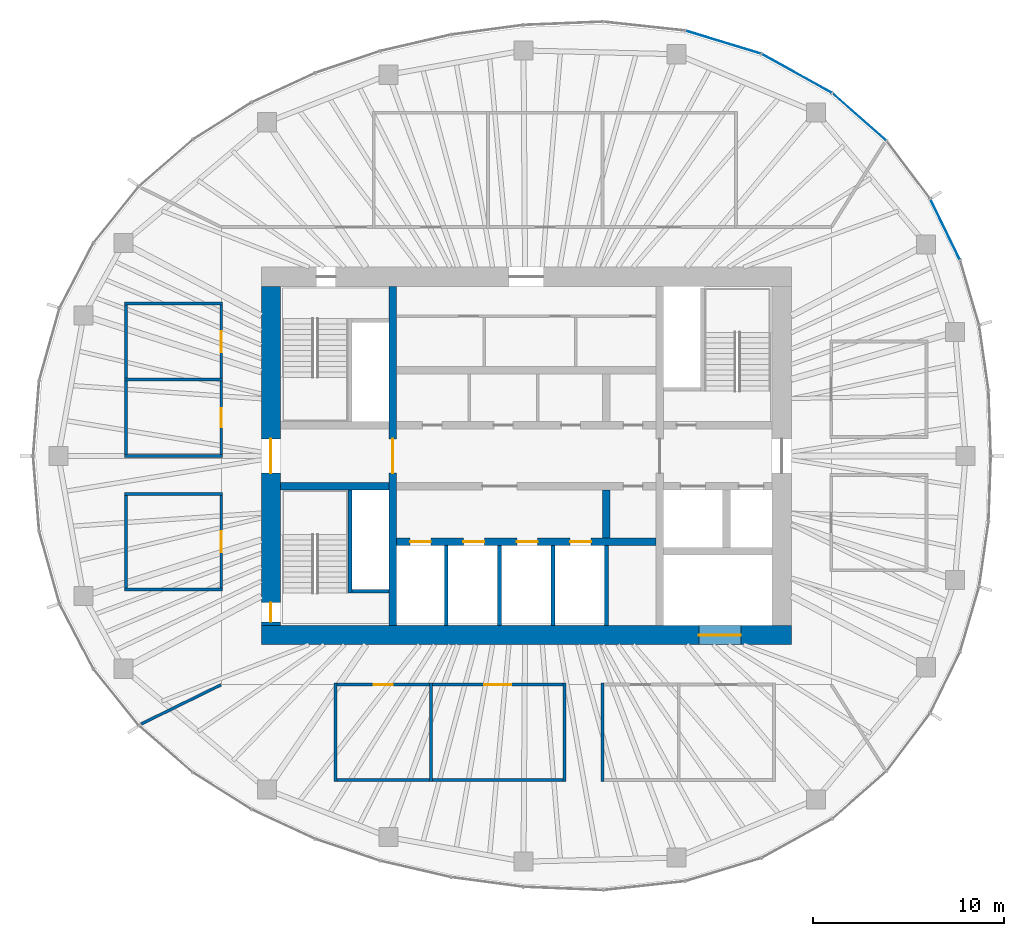
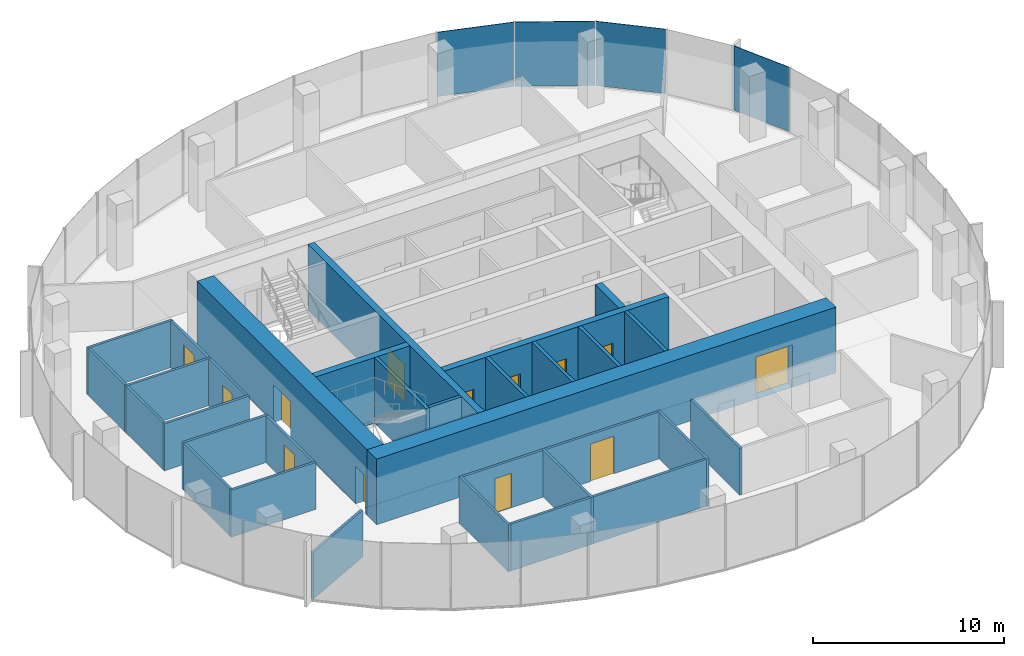
# One storey, part 8 of 11: 32 walls, 13 doors, 4 plates, 13 openings, 3 elements without a shape of their own.
"""IFC4 building model written with IfcOpenShell, lengths in metres."""

from ifc_helpers import new_model, si_unit, direction, frame, frame_2d, origin, origin_2d, place, context, subcontext, project, spatial, rectangle, extrude, material, layer, layer_set, type_object, element, fill, aggregate, save


model = new_model("IFC4")

# Units and contexts
model_context = context("Model", 3, precision=1e-05, world=origin(), true_north=direction((0.0, 1.0)))
body_context = subcontext(model_context, "Body", "Model", "MODEL_VIEW")
ifc_project = project(units=[si_unit("LENGTHUNIT", "METRE"), si_unit("AREAUNIT", "SQUARE_METRE"), si_unit("VOLUMEUNIT", "CUBIC_METRE"), si_unit("PLANEANGLEUNIT", "RADIAN"), si_unit("MASSUNIT", "GRAM", prefix="KILO")], contexts=[model_context])

# Site, building, storey
site_placement = place(None, origin())
site = spatial("IfcSite", under=ifc_project, at=site_placement, CompositionType="ELEMENT")
building_placement = place(site_placement, origin())
building = spatial("IfcBuilding", under=site, at=building_placement, Name="Ghaith Harvest Tower", CompositionType="ELEMENT")
storey_placement = place(building_placement, frame((0.0, 0.0, 321.60009765625)))
storey = spatial("IfcBuildingStorey", under=building, at=storey_placement, Name="L72", CompositionType="ELEMENT", Elevation=321.60009765625)

# Curtain wall, plate
ifc_material_1 = material(Name="Black anodised aluminium and fritted glass", Category="aluminium")
curtain_wall_type = type_object("IfcCurtainWallType", Name="CW-T CURTAIN WALL", PredefinedType="NOTDEFINED", material=ifc_material_1)
curtain_wall_1_placement = place(storey_placement, origin())
curtain_wall_1 = element("IfcCurtainWall", 1, at=curtain_wall_1_placement, inside=storey, type_object=curtain_wall_type, Name="Curtain wall CW-T bay 02 L72", PredefinedType="NOTDEFINED")
ifc_material_2 = material(Name="Glass, dark solar-control fritted double glazed unit", Category="glass")
ifc_layer_1 = layer(ifc_material_2, 0.033935546875)
ifc_layer_set_1 = layer_set([ifc_layer_1], Name="CW-T VISION PANEL")
plate_type = type_object("IfcPlateType", Name="CW-T VISION PANEL", PredefinedType="CURTAIN_PANEL", material=ifc_layer_set_1)
plate_1_placement = place(storey_placement, frame((21.9716796875, 11.878662109375, 0.079833984375), z_axis=(0.0, 0.0, 1.0), x_axis=(-0.437968365148, 0.898990384337, 0.0)))
plate_1 = element("IfcPlate", 2, at=plate_1_placement, type_object=plate_type, Name="CW-T glass unit 2 bay 02 L72", PredefinedType="CURTAIN_PANEL", context=body_context, shape_type="SweptSolid", body=[
    extrude(rectangle(XDim=3.49365234375, YDim=0.033935546875, at=origin_2d()), origin(), (0.0, 0.0, 1.0), 4.1201171875),
])
aggregate(curtain_wall_1, [plate_1])

curtain_wall_2_placement = place(storey_placement, origin())
curtain_wall_2 = element("IfcCurtainWall", 3, at=curtain_wall_2_placement, inside=storey, type_object=curtain_wall_type, Name="Curtain wall CW-T bay 03 L72", PredefinedType="NOTDEFINED")
plate_2_placement = place(storey_placement, frame((17.47509765625, 17.779541015625, 0.079833984375), z_axis=(0.0, 0.0, 1.0), x_axis=(-0.751334532416, 0.659921525941, 0.0)))
plate_2 = element("IfcPlate", 4, at=plate_2_placement, type_object=plate_type, Name="CW-T glass unit 2 bay 03 L72", PredefinedType="CURTAIN_PANEL", context=body_context, shape_type="SweptSolid", body=[
    extrude(rectangle(XDim=3.7158203125, YDim=0.033935546875, at=origin_2d()), origin(), (0.0, 0.0, 1.0), 4.1201171875),
])
aggregate(curtain_wall_2, [plate_2])

# Curtain wall, plates
curtain_wall_3_placement = place(storey_placement, origin())
curtain_wall_3 = element("IfcCurtainWall", 5, at=curtain_wall_3_placement, inside=storey, type_object=curtain_wall_type, Name="Curtain wall CW-T bay 04 L72", PredefinedType="NOTDEFINED")
plate_3_placement = place(storey_placement, frame((14.19189453125, 20.06201171875, 0.079833984375), z_axis=(0.0, 0.0, 1.0), x_axis=(-0.87456402291, 0.484910063653, 0.0)))
plate_3 = element("IfcPlate", 6, at=plate_3_placement, type_object=plate_type, Name="CW-T glass unit 1 bay 04 L72", PredefinedType="CURTAIN_PANEL", context=body_context, shape_type="SweptSolid", body=[
    extrude(rectangle(XDim=4.167724609375, YDim=0.033935546875, at=origin_2d()), origin(), (0.0, 0.0, 1.0), 4.1201171875),
])
plate_4_placement = place(storey_placement, frame((10.337158203125, 21.700439453125, 0.079833984375), z_axis=(0.0, 0.0, 1.0), x_axis=(-0.956587736124, 0.291444511181, 0.0)))
plate_4 = element("IfcPlate", 7, at=plate_4_placement, type_object=plate_type, Name="CW-T glass unit 2 bay 04 L72", PredefinedType="CURTAIN_PANEL", context=body_context, shape_type="SweptSolid", body=[
    extrude(rectangle(XDim=4.095703125, YDim=0.033935546875, at=origin_2d()), origin(), (0.0, 0.0, 1.0), 4.1201171875),
])
aggregate(curtain_wall_3, [plate_3, plate_4])

# Wall, opening, door
ifc_material_3 = material(Name="Concrete C50/60", Category="concrete")
ifc_layer_2 = layer(ifc_material_3, 1.0)
ifc_layer_set_2 = layer_set([ifc_layer_2], Name="CORE WALL CW1000")
wall_type_1 = type_object("IfcWallType", Name="CORE WALL CW1000", PredefinedType="SHEAR", material=ifc_layer_set_2)
wall_1_placement = place(storey_placement, frame((-13.89990234375, -9.39990234375, 0.0), z_axis=(0.0, 0.0, 1.0), x_axis=(1.0, 0.0, 0.0)))
wall_1 = element("IfcWall", 8, at=wall_1_placement, inside=storey, type_object=wall_type_1, Name="Core wall S L72", PredefinedType="SHEAR", context=body_context, shape_type="SweptSolid", body=[
    extrude(rectangle(XDim=27.7998046875, YDim=1.0, at=frame_2d((13.89990234375, 0.0))), origin(), (0.0, 0.0, 1.0), 4.199951171875),
])
opening_1_placement = place(wall_1_placement, frame((22.949951171875, 0.0, 0.0)))
opening_1 = element("IfcOpeningElement", 9, at=opening_1_placement, cuts=wall_1, Name="Opening 72-024", PredefinedType="OPENING", context=body_context, shape_type="SweptSolid", body=[
    extrude(rectangle(XDim=2.199951171875, YDim=2.699951171875, at=frame_2d((1.10009765625, 1.35009765625))), frame((0.0, 0.510009765625, 0.0), z_axis=(0.0, -1.0, 0.0), x_axis=(1.0, 0.0, 0.0)), (0.0, 0.0, 1.0), 1.02001953125),
])
ifc_material_4 = material(Name="Steel fire door", Category="steel")
door_type_1 = type_object("IfcDoorType", Name="LD3 LANDING 2200x2700", OperationType="DOUBLE_DOOR_SLIDING", PredefinedType="DOOR", material=ifc_material_4)
door_1_placement = place(opening_1_placement, origin())
door_1 = element("IfcDoor", 10, at=door_1_placement, inside=storey, type_object=door_type_1, Name="Landing door, goods lift GL1", OperationType="DOUBLE_DOOR_SLIDING", OverallHeight=2.699951171875, OverallWidth=2.199951171875, PredefinedType="DOOR", context=body_context, shape_type="SweptSolid", body=[
    extrude(rectangle(XDim=2.199951171875, YDim=2.699951171875, at=frame_2d((1.10009765625, 1.35009765625))), frame((0.0, 0.02490234375, 0.0), z_axis=(0.0, -1.0, 0.0), x_axis=(1.0, 0.0, 0.0)), (0.0, 0.0, 1.0), 0.050048828125),
])
fill(opening_1, door_1)

# Wall, openings, doors
wall_2_placement = place(storey_placement, frame((-13.39990234375, 8.89990234375, 0.0), z_axis=(0.0, 0.0, 1.0), x_axis=(0.0, -1.0, 0.0)))
wall_2 = element("IfcWall", 11, at=wall_2_placement, inside=storey, type_object=wall_type_1, Name="Core wall W L72", PredefinedType="SHEAR", context=body_context, shape_type="SweptSolid", body=[
    extrude(rectangle(XDim=17.7998046875, YDim=1.0, at=frame_2d((8.89990234375, 0.0))), origin(), (0.0, 0.0, 1.0), 4.199951171875),
])
opening_2_placement = place(wall_2_placement, frame((8.0, 0.0, 0.0)))
opening_2 = element("IfcOpeningElement", 12, at=opening_2_placement, cuts=wall_2, Name="Opening 72-001", PredefinedType="OPENING", context=body_context, shape_type="SweptSolid", body=[
    extrude(rectangle(XDim=1.800048828125, YDim=2.39990234375, at=frame_2d((0.89990234375, 1.199951171875))), frame((0.0, 0.510009765625, 0.0), z_axis=(0.0, -1.0, 0.0), x_axis=(1.0, 0.0, 0.0)), (0.0, 0.0, 1.0), 1.02001953125),
])
opening_3_placement = place(wall_2_placement, frame((16.60009765625, 0.0, 0.0)))
opening_3 = element("IfcOpeningElement", 13, at=opening_3_placement, cuts=wall_2, Name="Opening 72-006", PredefinedType="OPENING", context=body_context, shape_type="SweptSolid", body=[
    extrude(rectangle(XDim=1.0, YDim=2.39990234375, at=frame_2d((0.5, 1.199951171875))), frame((0.0, 0.510009765625, 0.0), z_axis=(0.0, -1.0, 0.0), x_axis=(1.0, 0.0, 0.0)), (0.0, 0.0, 1.0), 1.02001953125),
])
ifc_material_5 = material(Name="Steel fire door", Category="steel")
door_type_2 = type_object("IfcDoorType", Name="D3 FD90 1000x2400", OperationType="SINGLE_SWING_LEFT", PredefinedType="DOOR", material=ifc_material_5)
door_2_placement = place(opening_3_placement, origin())
door_2 = element("IfcDoor", 14, at=door_2_placement, inside=storey, type_object=door_type_2, Name="Stair ST3 door", OperationType="SINGLE_SWING_RIGHT", OverallHeight=2.39990234375, OverallWidth=1.0, PredefinedType="DOOR", context=body_context, shape_type="SweptSolid", body=[
    extrude(rectangle(XDim=1.0, YDim=2.39990234375, at=frame_2d((0.5, 1.199951171875))), frame((0.0, 0.02490234375, 0.0), z_axis=(0.0, -1.0, 0.0), x_axis=(1.0, 0.0, 0.0)), (0.0, 0.0, 1.0), 0.050048828125),
])
fill(opening_3, door_2)
ifc_material_6 = material(Name="Steel fire door", Category="steel")
door_type_3 = type_object("IfcDoorType", Name="D4 FD90 PAIR 1800x2400", OperationType="DOUBLE_DOOR_SINGLE_SWING", PredefinedType="DOOR", material=ifc_material_6)
door_3_placement = place(opening_2_placement, origin())
door_3 = element("IfcDoor", 15, at=door_3_placement, inside=storey, type_object=door_type_3, Name="West lobby doors", OperationType="DOUBLE_DOOR_SINGLE_SWING", OverallHeight=2.39990234375, OverallWidth=1.800048828125, PredefinedType="DOOR", context=body_context, shape_type="SweptSolid", body=[
    extrude(rectangle(XDim=1.800048828125, YDim=2.39990234375, at=frame_2d((0.89990234375, 1.199951171875))), frame((0.0, 0.02490234375, 0.0), z_axis=(0.0, -1.0, 0.0), x_axis=(1.0, 0.0, 0.0)), (0.0, 0.0, 1.0), 0.050048828125),
])
fill(opening_2, door_3)

# Walls
ifc_material_7 = material(Name="Concrete blockwork, 2-hour", Category="masonry")
ifc_layer_3 = layer(ifc_material_7, 0.199951171875)
ifc_layer_set_3 = layer_set([ifc_layer_3], Name="LIFT SHAFT WALL 200")
wall_type_2 = type_object("IfcWallType", Name="LIFT SHAFT WALL 200", PredefinedType="PARTITIONING", material=ifc_layer_set_3)
for number, where, z_axis, x_axis, name in (
    (16, (-4.199951171875, -4.699951171875, 0.0), (0.0, 0.0, 1.0), (0.0, -1.0, 0.0), "Lift shaft wall L72"),
    (17, (-1.39990234375, -4.699951171875, 0.0), (0.0, 0.0, 1.0), (0.0, -1.0, 0.0), "Lift shaft wall L72"),
    (18, (1.39990234375, -4.699951171875, 0.0), (0.0, 0.0, 1.0), (0.0, -1.0, 0.0), "Lift shaft wall L72"),
    (19, (4.199951171875, -4.699951171875, 0.0), (0.0, 0.0, 1.0), (0.0, -1.0, 0.0), "Lift shaft wall L72"),
):
    element("IfcWall", number, at=place(storey_placement, frame(where, z_axis=z_axis, x_axis=x_axis)), inside=storey, type_object=wall_type_2, Name=name, PredefinedType="PARTITIONING", context=body_context, shape_type="SweptSolid", body=[
        extrude(rectangle(XDim=4.199951171875, YDim=0.199951171875, at=frame_2d((2.10009765625, 0.0))), origin(), (0.0, 0.0, 1.0), 4.199951171875),
    ])
ifc_material_8 = material(Name="Gypsum board on steel studs", Category="steel")
ifc_layer_4 = layer(ifc_material_8, 0.14990234375)
ifc_layer_set_4 = layer_set([ifc_layer_4], Name="PARTITION 150")
wall_type_3 = type_object("IfcWallType", Name="PARTITION 150", PredefinedType="PARTITIONING", material=ifc_layer_set_4)
for number, where, z_axis, x_axis, name in (
    (20, (-10.0, -11.925048828125, 0.0), (0.0, 0.0, 1.0), (0.0, -1.0, 0.0), "Partition L72 row S2 cross wall 1"),
    (21, (-5.0, -11.925048828125, 0.0), (0.0, 0.0, 1.0), (0.0, -1.0, 0.0), "Partition L72 row S2 cross wall 2"),
    (22, (2.0, -11.925048828125, 0.0), (0.0, 0.0, 1.0), (0.0, -1.0, 0.0), "Partition L72 row S2 cross wall 3"),
):
    element("IfcWall", number, at=place(storey_placement, frame(where, z_axis=z_axis, x_axis=x_axis)), inside=storey, type_object=wall_type_3, Name=name, PredefinedType="PARTITIONING", context=body_context, shape_type="SweptSolid", body=[
        extrude(rectangle(XDim=5.14990234375, YDim=0.14990234375, at=frame_2d((2.574951171875, 0.0))), origin(), (0.0, 0.0, 1.0), 3.0),
    ])

# Wall, opening, door
wall_3_placement = place(storey_placement, frame((-9.925048828125, -12.0, 0.0), z_axis=(0.0, 0.0, 1.0), x_axis=(1.0, 0.0, 0.0)))
wall_3 = element("IfcWall", 23, at=wall_3_placement, inside=storey, type_object=wall_type_3, Name="Partition L72-04", PredefinedType="PARTITIONING", context=body_context, shape_type="SweptSolid", body=[
    extrude(rectangle(XDim=4.85009765625, YDim=0.14990234375, at=frame_2d((2.425048828125, 0.0))), origin(), (0.0, 0.0, 1.0), 3.0),
])
opening_4_placement = place(wall_3_placement, frame((1.925048828125, 0.0, 0.0)))
opening_4 = element("IfcOpeningElement", 24, at=opening_4_placement, cuts=wall_3, Name="Opening 72-028", PredefinedType="OPENING", context=body_context, shape_type="SweptSolid", body=[
    extrude(rectangle(XDim=1.0, YDim=2.199951171875, at=frame_2d((0.5, 1.10009765625))), frame((0.0, 0.0849609375, 0.0), z_axis=(0.0, -1.0, 0.0), x_axis=(1.0, 0.0, 0.0)), (0.0, 0.0, 1.0), 0.169921875),
])
ifc_material_9 = material(Name="Timber door", Category="wood")
door_type_4 = type_object("IfcDoorType", Name="D1 SINGLE 1000x2200", OperationType="SINGLE_SWING_LEFT", PredefinedType="DOOR", material=ifc_material_9)
door_4_placement = place(opening_4_placement, origin())
door_4 = element("IfcDoor", 25, at=door_4_placement, inside=storey, type_object=door_type_4, Name="Drying room door", OperationType="SINGLE_SWING_LEFT", OverallHeight=2.199951171875, OverallWidth=1.0, PredefinedType="DOOR", context=body_context, shape_type="SweptSolid", body=[
    extrude(rectangle(XDim=1.0, YDim=2.199951171875, at=frame_2d((0.5, 1.10009765625))), frame((0.0, 0.02490234375, 0.0), z_axis=(0.0, -1.0, 0.0), x_axis=(1.0, 0.0, 0.0)), (0.0, 0.0, 1.0), 0.050048828125),
])
fill(opening_4, door_4)

# Wall
wall_4_placement = place(storey_placement, frame((-9.925048828125, -17.0, 0.0), z_axis=(0.0, 0.0, 1.0), x_axis=(1.0, 0.0, 0.0)))
element("IfcWall", 26, at=wall_4_placement, inside=storey, type_object=wall_type_3, Name="Partition L72-04", PredefinedType="PARTITIONING", context=body_context, shape_type="SweptSolid", body=[
    extrude(rectangle(XDim=4.85009765625, YDim=0.14990234375, at=frame_2d((2.425048828125, 0.0))), origin(), (0.0, 0.0, 1.0), 3.0),
])

# Wall, opening, door
wall_5_placement = place(storey_placement, frame((-4.925048828125, -12.0, 0.0), z_axis=(0.0, 0.0, 1.0), x_axis=(1.0, 0.0, 0.0)))
wall_5 = element("IfcWall", 27, at=wall_5_placement, inside=storey, type_object=wall_type_3, Name="Partition L72-05", PredefinedType="PARTITIONING", context=body_context, shape_type="SweptSolid", body=[
    extrude(rectangle(XDim=6.85009765625, YDim=0.14990234375, at=frame_2d((3.425048828125, 0.0))), origin(), (0.0, 0.0, 1.0), 3.0),
])
opening_5_placement = place(wall_5_placement, frame((2.72509765625, 0.0, 0.0)))
opening_5 = element("IfcOpeningElement", 28, at=opening_5_placement, cuts=wall_5, Name="Opening 72-029", PredefinedType="OPENING", context=body_context, shape_type="SweptSolid", body=[
    extrude(rectangle(XDim=1.39990234375, YDim=2.39990234375, at=frame_2d((0.699951171875, 1.199951171875))), frame((0.0, 0.0849609375, 0.0), z_axis=(0.0, -1.0, 0.0), x_axis=(1.0, 0.0, 0.0)), (0.0, 0.0, 1.0), 0.169921875),
])
ifc_material_10 = material(Name="Stainless steel faced door pair", Category="steel")
door_type_5 = type_object("IfcDoorType", Name="D14 HYGIENE PAIR 1400x2400", OperationType="DOUBLE_DOOR_DOUBLE_SWING", PredefinedType="DOOR", material=ifc_material_10)
door_5_placement = place(opening_5_placement, origin())
door_5 = element("IfcDoor", 29, at=door_5_placement, inside=storey, type_object=door_type_5, Name="Packing room door", OperationType="DOUBLE_DOOR_DOUBLE_SWING", OverallHeight=2.39990234375, OverallWidth=1.39990234375, PredefinedType="DOOR", context=body_context, shape_type="SweptSolid", body=[
    extrude(rectangle(XDim=1.39990234375, YDim=2.39990234375, at=frame_2d((0.699951171875, 1.199951171875))), frame((0.0, 0.02490234375, 0.0), z_axis=(0.0, -1.0, 0.0), x_axis=(1.0, 0.0, 0.0)), (0.0, 0.0, 1.0), 0.050048828125),
])
fill(opening_5, door_5)

# Walls
wall_6_placement = place(storey_placement, frame((-4.925048828125, -17.0, 0.0), z_axis=(0.0, 0.0, 1.0), x_axis=(1.0, 0.0, 0.0)))
element("IfcWall", 30, at=wall_6_placement, inside=storey, type_object=wall_type_3, Name="Partition L72-05", PredefinedType="PARTITIONING", context=body_context, shape_type="SweptSolid", body=[
    extrude(rectangle(XDim=6.85009765625, YDim=0.14990234375, at=frame_2d((3.425048828125, 0.0))), origin(), (0.0, 0.0, 1.0), 3.0),
])
for number, where, z_axis, x_axis, name in (
    (31, (4.0, -11.925048828125, 0.0), (0.0, 0.0, 1.0), (0.0, -1.0, 0.0), "Partition L72 row S3 cross wall 1"),
    (32, (-15.925048828125, -7.0, 0.0), (0.0, 0.0, 1.0), (-1.0, 0.0, 0.0), "Partition L72 row W4 cross wall 1"),
    (33, (-15.925048828125, -2.0, 0.0), (0.0, 0.0, 1.0), (-1.0, 0.0, 0.0), "Partition L72 row W4 cross wall 2"),
):
    element("IfcWall", number, at=place(storey_placement, frame(where, z_axis=z_axis, x_axis=x_axis)), inside=storey, type_object=wall_type_3, Name=name, PredefinedType="PARTITIONING", context=body_context, shape_type="SweptSolid", body=[
        extrude(rectangle(XDim=5.14990234375, YDim=0.14990234375, at=frame_2d((2.574951171875, 0.0))), origin(), (0.0, 0.0, 1.0), 3.0),
    ])

# Wall, opening, door
wall_7_placement = place(storey_placement, frame((-16.0, -6.925048828125, 0.0), z_axis=(0.0, 0.0, 1.0), x_axis=(0.0, 1.0, 0.0)))
wall_7 = element("IfcWall", 34, at=wall_7_placement, inside=storey, type_object=wall_type_3, Name="Partition L72-08", PredefinedType="PARTITIONING", context=body_context, shape_type="SweptSolid", body=[
    extrude(rectangle(XDim=4.85009765625, YDim=0.14990234375, at=frame_2d((2.425048828125, 0.0))), origin(), (0.0, 0.0, 1.0), 3.0),
])
opening_6_placement = place(wall_7_placement, frame((1.875, 0.0, 0.0)))
opening_6 = element("IfcOpeningElement", 35, at=opening_6_placement, cuts=wall_7, Name="Opening 72-032", PredefinedType="OPENING", context=body_context, shape_type="SweptSolid", body=[
    extrude(rectangle(XDim=1.10009765625, YDim=2.300048828125, at=frame_2d((0.550048828125, 1.14990234375))), frame((0.0, 0.0849609375, 0.0), z_axis=(0.0, -1.0, 0.0), x_axis=(1.0, 0.0, 0.0)), (0.0, 0.0, 1.0), 0.169921875),
])
ifc_material_11 = material(Name="Timber-framed glazed door", Category="wood")
door_type_6 = type_object("IfcDoorType", Name="D12 GLAZED OFFICE 1100x2300", OperationType="SINGLE_SWING_LEFT", PredefinedType="DOOR", material=ifc_material_11)
door_6_placement = place(opening_6_placement, origin())
door_6 = element("IfcDoor", 36, at=door_6_placement, inside=storey, type_object=door_type_6, Name="Spice sales office door", OperationType="SINGLE_SWING_LEFT", OverallHeight=2.300048828125, OverallWidth=1.10009765625, PredefinedType="DOOR", context=body_context, shape_type="SweptSolid", body=[
    extrude(rectangle(XDim=1.10009765625, YDim=2.300048828125, at=frame_2d((0.550048828125, 1.14990234375))), frame((0.0, 0.02490234375, 0.0), z_axis=(0.0, -1.0, 0.0), x_axis=(1.0, 0.0, 0.0)), (0.0, 0.0, 1.0), 0.050048828125),
])
fill(opening_6, door_6)

# Walls
wall_8_placement = place(storey_placement, frame((-21.0, -6.925048828125, 0.0), z_axis=(0.0, 0.0, 1.0), x_axis=(0.0, 1.0, 0.0)))
element("IfcWall", 37, at=wall_8_placement, inside=storey, type_object=wall_type_3, Name="Partition L72-08", PredefinedType="PARTITIONING", context=body_context, shape_type="SweptSolid", body=[
    extrude(rectangle(XDim=4.85009765625, YDim=0.14990234375, at=frame_2d((2.425048828125, 0.0))), origin(), (0.0, 0.0, 1.0), 3.0),
])
for number, where, z_axis, x_axis, name in (
    (38, (-15.925048828125, 0.0, 0.0), (0.0, 0.0, 1.0), (-1.0, 0.0, 0.0), "Partition L72 row W7 cross wall 1"),
    (39, (-15.925048828125, 4.0, 0.0), (0.0, 0.0, 1.0), (-1.0, 0.0, 0.0), "Partition L72 row W7 cross wall 2"),
    (40, (-15.925048828125, 8.0, 0.0), (0.0, 0.0, 1.0), (-1.0, 0.0, 0.0), "Partition L72 row W7 cross wall 3"),
):
    element("IfcWall", number, at=place(storey_placement, frame(where, z_axis=z_axis, x_axis=x_axis)), inside=storey, type_object=wall_type_3, Name=name, PredefinedType="PARTITIONING", context=body_context, shape_type="SweptSolid", body=[
        extrude(rectangle(XDim=5.14990234375, YDim=0.14990234375, at=frame_2d((2.574951171875, 0.0))), origin(), (0.0, 0.0, 1.0), 3.0),
    ])

# Wall, opening, door
wall_9_placement = place(storey_placement, frame((-16.0, 0.074951171875, 0.0), z_axis=(0.0, 0.0, 1.0), x_axis=(0.0, 1.0, 0.0)))
wall_9 = element("IfcWall", 41, at=wall_9_placement, inside=storey, type_object=wall_type_3, Name="Partition L72-11", PredefinedType="PARTITIONING", context=body_context, shape_type="SweptSolid", body=[
    extrude(rectangle(XDim=3.85009765625, YDim=0.14990234375, at=frame_2d((1.925048828125, 0.0))), origin(), (0.0, 0.0, 1.0), 3.0),
])
opening_7_placement = place(wall_9_placement, frame((1.425048828125, 0.0, 0.0)))
opening_7 = element("IfcOpeningElement", 42, at=opening_7_placement, cuts=wall_9, Name="Opening 72-035", PredefinedType="OPENING", context=body_context, shape_type="SweptSolid", body=[
    extrude(rectangle(XDim=1.0, YDim=2.199951171875, at=frame_2d((0.5, 1.10009765625))), frame((0.0, 0.0849609375, 0.0), z_axis=(0.0, -1.0, 0.0), x_axis=(1.0, 0.0, 0.0)), (0.0, 0.0, 1.0), 0.169921875),
])
door_7_placement = place(opening_7_placement, origin())
door_7 = element("IfcDoor", 43, at=door_7_placement, inside=storey, type_object=door_type_4, Name="Grinding room door", OperationType="SINGLE_SWING_LEFT", OverallHeight=2.199951171875, OverallWidth=1.0, PredefinedType="DOOR", context=body_context, shape_type="SweptSolid", body=[
    extrude(rectangle(XDim=1.0, YDim=2.199951171875, at=frame_2d((0.5, 1.10009765625))), frame((0.0, 0.02490234375, 0.0), z_axis=(0.0, -1.0, 0.0), x_axis=(1.0, 0.0, 0.0)), (0.0, 0.0, 1.0), 0.050048828125),
])
fill(opening_7, door_7)

# Wall
wall_10_placement = place(storey_placement, frame((-21.0, 0.074951171875, 0.0), z_axis=(0.0, 0.0, 1.0), x_axis=(0.0, 1.0, 0.0)))
element("IfcWall", 44, at=wall_10_placement, inside=storey, type_object=wall_type_3, Name="Partition L72-11", PredefinedType="PARTITIONING", context=body_context, shape_type="SweptSolid", body=[
    extrude(rectangle(XDim=3.85009765625, YDim=0.14990234375, at=frame_2d((1.925048828125, 0.0))), origin(), (0.0, 0.0, 1.0), 3.0),
])

# Wall, opening, door
wall_11_placement = place(storey_placement, frame((-16.0, 4.074951171875, 0.0), z_axis=(0.0, 0.0, 1.0), x_axis=(0.0, 1.0, 0.0)))
wall_11 = element("IfcWall", 45, at=wall_11_placement, inside=storey, type_object=wall_type_3, Name="Partition L72-12", PredefinedType="PARTITIONING", context=body_context, shape_type="SweptSolid", body=[
    extrude(rectangle(XDim=3.85009765625, YDim=0.14990234375, at=frame_2d((1.925048828125, 0.0))), origin(), (0.0, 0.0, 1.0), 3.0),
])
opening_8_placement = place(wall_11_placement, frame((1.375, 0.0, 0.0)))
opening_8 = element("IfcOpeningElement", 46, at=opening_8_placement, cuts=wall_11, Name="Opening 72-036", PredefinedType="OPENING", context=body_context, shape_type="SweptSolid", body=[
    extrude(rectangle(XDim=1.10009765625, YDim=2.300048828125, at=frame_2d((0.550048828125, 1.14990234375))), frame((0.0, 0.0849609375, 0.0), z_axis=(0.0, -1.0, 0.0), x_axis=(1.0, 0.0, 0.0)), (0.0, 0.0, 1.0), 0.169921875),
])
door_8_placement = place(opening_8_placement, origin())
door_8 = element("IfcDoor", 47, at=door_8_placement, inside=storey, type_object=door_type_6, Name="Export office door", OperationType="SINGLE_SWING_LEFT", OverallHeight=2.300048828125, OverallWidth=1.10009765625, PredefinedType="DOOR", context=body_context, shape_type="SweptSolid", body=[
    extrude(rectangle(XDim=1.10009765625, YDim=2.300048828125, at=frame_2d((0.550048828125, 1.14990234375))), frame((0.0, 0.02490234375, 0.0), z_axis=(0.0, -1.0, 0.0), x_axis=(1.0, 0.0, 0.0)), (0.0, 0.0, 1.0), 0.050048828125),
])
fill(opening_8, door_8)

# Walls
wall_12_placement = place(storey_placement, frame((-21.0, 4.074951171875, 0.0), z_axis=(0.0, 0.0, 1.0), x_axis=(0.0, 1.0, 0.0)))
element("IfcWall", 48, at=wall_12_placement, inside=storey, type_object=wall_type_3, Name="Partition L72-12", PredefinedType="PARTITIONING", context=body_context, shape_type="SweptSolid", body=[
    extrude(rectangle(XDim=3.85009765625, YDim=0.14990234375, at=frame_2d((1.925048828125, 0.0))), origin(), (0.0, 0.0, 1.0), 3.0),
])
wall_13_placement = place(storey_placement, frame((-16.017822265625, -12.0087890625, 0.0), z_axis=(0.0, 0.0, 1.0), x_axis=(-0.897771840996, -0.440460805879, 0.0)))
element("IfcWall", 49, at=wall_13_placement, inside=storey, type_object=wall_type_3, Name="Partition L72 zone division", PredefinedType="PARTITIONING", context=body_context, shape_type="SweptSolid", body=[
    extrude(rectangle(XDim=4.66552734375, YDim=0.14990234375, at=frame_2d((2.332763671875, 0.0))), origin(), (0.0, 0.0, 1.0), 3.0),
])

# Wall, opening, door
ifc_material_12 = material(Name="Concrete C70/85", Category="concrete")
ifc_layer_5 = layer(ifc_material_12, 0.39990234375)
ifc_layer_set_5 = layer_set([ifc_layer_5], Name="SHAFT WALL 400")
wall_type_4 = type_object("IfcWallType", Name="SHAFT WALL 400", PredefinedType="SHEAR", material=ifc_layer_set_5)
wall_14_placement = place(storey_placement, frame((-7.0, -8.89990234375, 0.0), z_axis=(0.0, 0.0, 1.0), x_axis=(0.0, 1.0, 0.0)))
wall_14 = element("IfcWall", 50, at=wall_14_placement, inside=storey, type_object=wall_type_4, Name="Shaft wall W7W L72", PredefinedType="SHEAR", context=body_context, shape_type="SweptSolid", body=[
    extrude(rectangle(XDim=17.7998046875, YDim=0.39990234375, at=frame_2d((8.89990234375, 0.0))), origin(), (0.0, 0.0, 1.0), 4.199951171875),
])
opening_9_placement = place(wall_14_placement, frame((8.0, 0.0, 0.0)))
opening_9 = element("IfcOpeningElement", 51, at=opening_9_placement, cuts=wall_14, Name="Opening 72-003", PredefinedType="OPENING", context=body_context, shape_type="SweptSolid", body=[
    extrude(rectangle(XDim=1.800048828125, YDim=2.39990234375, at=frame_2d((0.89990234375, 1.199951171875))), frame((0.0, 0.2099609375, 0.0), z_axis=(0.0, -1.0, 0.0), x_axis=(1.0, 0.0, 0.0)), (0.0, 0.0, 1.0), 0.419921875),
])
door_9_placement = place(opening_9_placement, origin())
door_9 = element("IfcDoor", 52, at=door_9_placement, inside=storey, type_object=door_type_3, Name="Lift lobby doors, west", OperationType="DOUBLE_DOOR_SINGLE_SWING", OverallHeight=2.39990234375, OverallWidth=1.800048828125, PredefinedType="DOOR", context=body_context, shape_type="SweptSolid", body=[
    extrude(rectangle(XDim=1.800048828125, YDim=2.39990234375, at=frame_2d((0.89990234375, 1.199951171875))), frame((0.0, 0.02490234375, 0.0), z_axis=(0.0, -1.0, 0.0), x_axis=(1.0, 0.0, 0.0)), (0.0, 0.0, 1.0), 0.050048828125),
])
fill(opening_9, door_9)

# Wall, openings, doors
wall_15_placement = place(storey_placement, frame((-6.800048828125, -4.5, 0.0), z_axis=(0.0, 0.0, 1.0), x_axis=(1.0, 0.0, 0.0)))
wall_15 = element("IfcWall", 53, at=wall_15_placement, inside=storey, type_object=wall_type_4, Name="Shaft wall BS L72", PredefinedType="SHEAR", context=body_context, shape_type="SweptSolid", body=[
    extrude(rectangle(XDim=13.60009765625, YDim=0.39990234375, at=frame_2d((6.800048828125, 0.0))), origin(), (0.0, 0.0, 1.0), 4.199951171875),
])
opening_10_placement = place(wall_15_placement, frame((0.699951171875, 0.0, 0.0)))
opening_10 = element("IfcOpeningElement", 54, at=opening_10_placement, cuts=wall_15, Name="Opening 72-018", PredefinedType="OPENING", context=body_context, shape_type="SweptSolid", body=[
    extrude(rectangle(XDim=1.10009765625, YDim=2.39990234375, at=frame_2d((0.550048828125, 1.199951171875))), frame((0.0, 0.2099609375, 0.0), z_axis=(0.0, -1.0, 0.0), x_axis=(1.0, 0.0, 0.0)), (0.0, 0.0, 1.0), 0.419921875),
])
opening_11_placement = place(wall_15_placement, frame((3.5, 0.0, 0.0)))
opening_11 = element("IfcOpeningElement", 55, at=opening_11_placement, cuts=wall_15, Name="Opening 72-019", PredefinedType="OPENING", context=body_context, shape_type="SweptSolid", body=[
    extrude(rectangle(XDim=1.10009765625, YDim=2.39990234375, at=frame_2d((0.550048828125, 1.199951171875))), frame((0.0, 0.2099609375, 0.0), z_axis=(0.0, -1.0, 0.0), x_axis=(1.0, 0.0, 0.0)), (0.0, 0.0, 1.0), 0.419921875),
])
opening_12_placement = place(wall_15_placement, frame((6.300048828125, 0.0, 0.0)))
opening_12 = element("IfcOpeningElement", 56, at=opening_12_placement, cuts=wall_15, Name="Opening 72-020", PredefinedType="OPENING", context=body_context, shape_type="SweptSolid", body=[
    extrude(rectangle(XDim=1.10009765625, YDim=2.39990234375, at=frame_2d((0.550048828125, 1.199951171875))), frame((0.0, 0.2099609375, 0.0), z_axis=(0.0, -1.0, 0.0), x_axis=(1.0, 0.0, 0.0)), (0.0, 0.0, 1.0), 0.419921875),
])
opening_13_placement = place(wall_15_placement, frame((9.10009765625, 0.0, 0.0)))
opening_13 = element("IfcOpeningElement", 57, at=opening_13_placement, cuts=wall_15, Name="Opening 72-021", PredefinedType="OPENING", context=body_context, shape_type="SweptSolid", body=[
    extrude(rectangle(XDim=1.10009765625, YDim=2.39990234375, at=frame_2d((0.550048828125, 1.199951171875))), frame((0.0, 0.2099609375, 0.0), z_axis=(0.0, -1.0, 0.0), x_axis=(1.0, 0.0, 0.0)), (0.0, 0.0, 1.0), 0.419921875),
])
ifc_material_13 = material(Name="Steel fire door", Category="steel")
door_type_7 = type_object("IfcDoorType", Name="LD1 LANDING 1100x2400", OperationType="DOUBLE_DOOR_SLIDING", PredefinedType="DOOR", material=ifc_material_13)
door_10_placement = place(opening_10_placement, origin())
door_10 = element("IfcDoor", 58, at=door_10_placement, inside=storey, type_object=door_type_7, Name="Landing door, lift TR1", OperationType="DOUBLE_DOOR_SLIDING", OverallHeight=2.39990234375, OverallWidth=1.10009765625, PredefinedType="DOOR", context=body_context, shape_type="SweptSolid", body=[
    extrude(rectangle(XDim=1.10009765625, YDim=2.39990234375, at=frame_2d((0.550048828125, 1.199951171875))), frame((0.0, 0.02490234375, 0.0), z_axis=(0.0, -1.0, 0.0), x_axis=(1.0, 0.0, 0.0)), (0.0, 0.0, 1.0), 0.050048828125),
])
fill(opening_10, door_10)
door_11_placement = place(opening_11_placement, origin())
door_11 = element("IfcDoor", 59, at=door_11_placement, inside=storey, type_object=door_type_7, Name="Landing door, lift TR2", OperationType="DOUBLE_DOOR_SLIDING", OverallHeight=2.39990234375, OverallWidth=1.10009765625, PredefinedType="DOOR", context=body_context, shape_type="SweptSolid", body=[
    extrude(rectangle(XDim=1.10009765625, YDim=2.39990234375, at=frame_2d((0.550048828125, 1.199951171875))), frame((0.0, 0.02490234375, 0.0), z_axis=(0.0, -1.0, 0.0), x_axis=(1.0, 0.0, 0.0)), (0.0, 0.0, 1.0), 0.050048828125),
])
fill(opening_11, door_11)
door_12_placement = place(opening_12_placement, origin())
door_12 = element("IfcDoor", 60, at=door_12_placement, inside=storey, type_object=door_type_7, Name="Landing door, lift TR3", OperationType="DOUBLE_DOOR_SLIDING", OverallHeight=2.39990234375, OverallWidth=1.10009765625, PredefinedType="DOOR", context=body_context, shape_type="SweptSolid", body=[
    extrude(rectangle(XDim=1.10009765625, YDim=2.39990234375, at=frame_2d((0.550048828125, 1.199951171875))), frame((0.0, 0.02490234375, 0.0), z_axis=(0.0, -1.0, 0.0), x_axis=(1.0, 0.0, 0.0)), (0.0, 0.0, 1.0), 0.050048828125),
])
fill(opening_12, door_12)
door_13_placement = place(opening_13_placement, origin())
door_13 = element("IfcDoor", 61, at=door_13_placement, inside=storey, type_object=door_type_7, Name="Landing door, lift TR4", OperationType="DOUBLE_DOOR_SLIDING", OverallHeight=2.39990234375, OverallWidth=1.10009765625, PredefinedType="DOOR", context=body_context, shape_type="SweptSolid", body=[
    extrude(rectangle(XDim=1.10009765625, YDim=2.39990234375, at=frame_2d((0.550048828125, 1.199951171875))), frame((0.0, 0.02490234375, 0.0), z_axis=(0.0, -1.0, 0.0), x_axis=(1.0, 0.0, 0.0)), (0.0, 0.0, 1.0), 0.050048828125),
])
fill(opening_13, door_13)

# Walls
wall_16_placement = place(storey_placement, frame((-12.89990234375, -1.60009765625, 0.0), z_axis=(0.0, 0.0, 1.0), x_axis=(1.0, 0.0, 0.0)))
element("IfcWall", 62, at=wall_16_placement, inside=storey, type_object=wall_type_4, Name="Shaft wall WS L72", PredefinedType="SHEAR", context=body_context, shape_type="SweptSolid", body=[
    extrude(rectangle(XDim=5.699951171875, YDim=0.39990234375, at=frame_2d((2.85009765625, 0.0))), origin(), (0.0, 0.0, 1.0), 4.199951171875),
])
wall_17_placement = place(storey_placement, frame((4.199951171875, -4.300048828125, 0.0), z_axis=(0.0, 0.0, 1.0), x_axis=(0.0, 1.0, 0.0)))
element("IfcWall", 63, at=wall_17_placement, inside=storey, type_object=wall_type_4, Name="Shaft wall DS4 L72", PredefinedType="SHEAR", context=body_context, shape_type="SweptSolid", body=[
    extrude(rectangle(XDim=2.5, YDim=0.39990234375, at=frame_2d((1.25, 0.0))), origin(), (0.0, 0.0, 1.0), 4.199951171875),
])
ifc_material_14 = material(Name="Concrete C40/50", Category="concrete")
ifc_layer_6 = layer(ifc_material_14, 0.199951171875)
ifc_layer_set_6 = layer_set([ifc_layer_6], Name="STAIR SPINE WALL RC200")
wall_type_5 = type_object("IfcWallType", Name="STAIR SPINE WALL RC200", PredefinedType="SOLIDWALL", material=ifc_layer_set_6)
wall_18_placement = place(storey_placement, frame((-9.25, -7.199951171875, 0.0), z_axis=(0.0, 0.0, 1.0), x_axis=(0.0, 1.0, 0.0)))
element("IfcWall", 64, at=wall_18_placement, inside=storey, type_object=wall_type_5, Name="Stair ST3 spine wall L72", PredefinedType="SOLIDWALL", context=body_context, shape_type="SweptSolid", body=[
    extrude(rectangle(XDim=5.39990234375, YDim=0.199951171875, at=frame_2d((2.699951171875, 0.0))), origin(), (0.0, 0.0, 1.0), 4.199951171875),
])
wall_19_placement = place(storey_placement, frame((-9.14990234375, -7.10009765625, 0.0), z_axis=(0.0, 0.0, 1.0), x_axis=(1.0, 0.0, 0.0)))
element("IfcWall", 65, at=wall_19_placement, inside=storey, type_object=wall_type_5, Name="Stair ST3 spine wall return L72", PredefinedType="SOLIDWALL", context=body_context, shape_type="SweptSolid", body=[
    extrude(rectangle(XDim=1.949951171875, YDim=0.199951171875, at=frame_2d((0.97509765625, 0.0))), origin(), (0.0, 0.0, 1.0), 4.199951171875),
])

save(model, "model.ifc")
